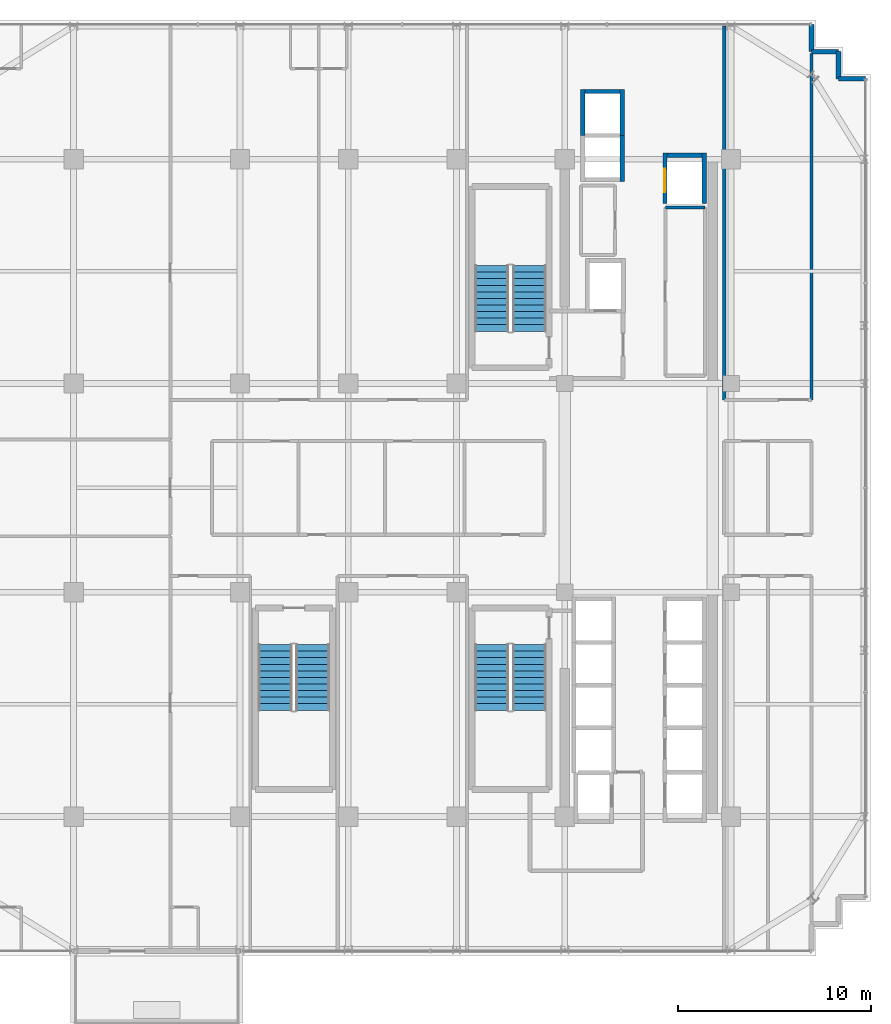
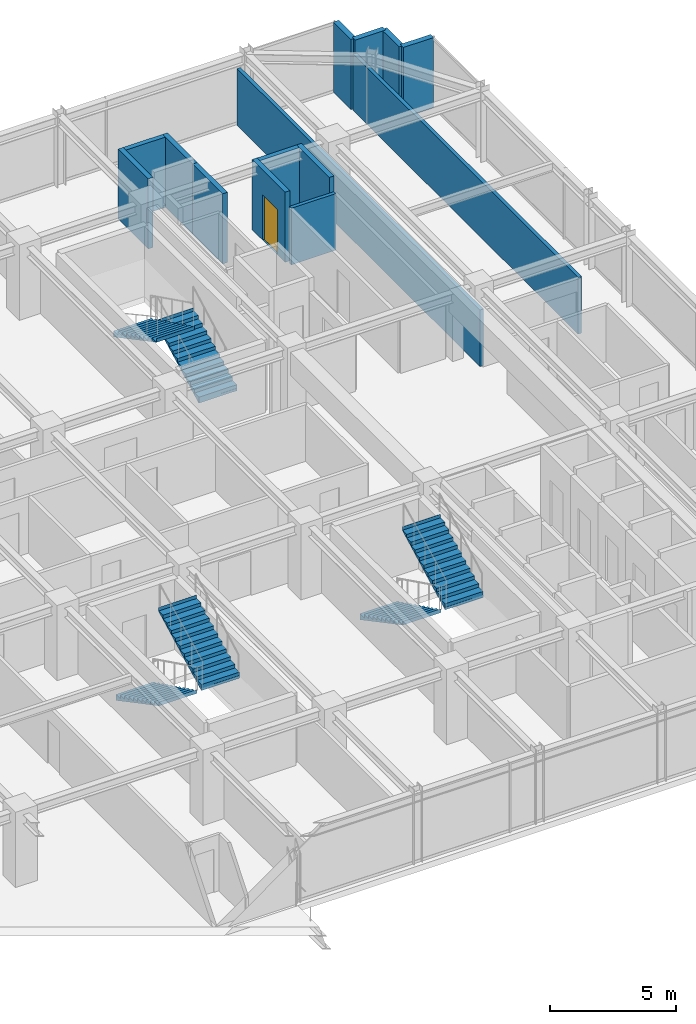
# One storey, part 32 of 35: 14 walls, 6 stair flights, 1 door, 1 opening, 3 elements without a shape of their own.
"""IFC4 building model written with IfcOpenShell, lengths in metres."""

from ifc_helpers import new_model, si_unit, direction, frame, frame_2d, origin, place, context, subcontext, project, spatial, polyline, rectangle, outline, extrude, source, transform, mapped, material, layer, layer_set, type_object, element, fill, aggregate, save


model = new_model("IFC4")

# Units and contexts
model_context = context("Model", 3, precision=1e-05, world=origin(), true_north=direction((0.0, 1.0)))
body_context = subcontext(model_context, "Body", "Model", "MODEL_VIEW")
ifc_project = project(units=[si_unit("LENGTHUNIT", "METRE"), si_unit("AREAUNIT", "SQUARE_METRE"), si_unit("VOLUMEUNIT", "CUBIC_METRE"), si_unit("PLANEANGLEUNIT", "RADIAN"), si_unit("MASSUNIT", "GRAM", prefix="KILO")], contexts=[model_context])

# Site, building, storey
site_placement = place(None, origin())
site = spatial("IfcSite", under=ifc_project, at=site_placement, CompositionType="ELEMENT")
building_placement = place(site_placement, origin())
building = spatial("IfcBuilding", under=site, at=building_placement, Name="Nahalor Promenade Grand Hotel", CompositionType="ELEMENT")
storey_placement = place(building_placement, frame((0.0, 0.0, 216.0)))
storey = spatial("IfcBuildingStorey", under=building, at=storey_placement, Name="L55", CompositionType="ELEMENT", Elevation=216.0)

# Walls
ifc_material_1 = material(Name="Concrete B-50 (C40/50)", Category="concrete")
ifc_layer_1 = layer(ifc_material_1, 0.219970703125)
ifc_layer_set_1 = layer_set([ifc_layer_1], Name="Concrete B-50 (C40/50)")
wall_type_1 = type_object("IfcWallType", Name="Wall-LiftShaft-220", PredefinedType="SHEAR", material=ifc_layer_set_1)
shared_shape_1 = source(origin(), body_context, "Body", "SweptSolid", [
    extrude(rectangle(XDim=1.820068359375, YDim=0.219970703125, at=frame_2d((0.91015625, 0.0))), origin(), (0.0, 0.0, 1.0), 3.409912109375),
])
for number, where, z_axis, x_axis, name in (
    (1, (9.43994140625, 20.5, 0.0), (0.0, 0.0, 1.0), (1.0, 0.0, 0.0), "L55 Lift OB2 Hoistway Wall N"),
    (2, (13.68994140625, 17.199951171875, 0.0), (0.0, 0.0, 1.0), (1.0, 0.0, 0.0), "L55 Lift SV1 Hoistway Wall N"),
):
    element("IfcWall", number, at=place(storey_placement, frame(where, z_axis=z_axis, x_axis=x_axis)), inside=storey, type_object=wall_type_1, Name=name, PredefinedType="SHEAR", context=body_context, shape_type="MappedRepresentation", body=[
        mapped(shared_shape_1, transform((0.0, 0.0, 0.0), scale=1.0)),
    ])
shared_shape_2 = source(origin(), body_context, "Body", "SweptSolid", [
    extrude(rectangle(XDim=2.385009765625, YDim=0.219970703125, at=frame_2d((1.1923828125, 0.0))), origin(), (0.0, 0.0, 1.0), 3.409912109375),
])
for number, where, z_axis, x_axis, name in (
    (3, (11.3701171875, 15.840087890625, 0.0), (0.0, 0.0, 1.0), (0.0, 1.0, 0.0), "L55 Lift OB1 Hoistway Wall E"),
    (4, (9.330078125, 18.22509765625, 0.0), (0.0, 0.0, 1.0), (0.0, 1.0, 0.0), "L55 Lift OB2 Hoistway Wall W"),
    (5, (11.3701171875, 18.22509765625, 0.0), (0.0, 0.0, 1.0), (0.0, 1.0, 0.0), "L55 Lift OB2 Hoistway Wall E"),
):
    element("IfcWall", number, at=place(storey_placement, frame(where, z_axis=z_axis, x_axis=x_axis)), inside=storey, type_object=wall_type_1, Name=name, PredefinedType="SHEAR", context=body_context, shape_type="MappedRepresentation", body=[
        mapped(shared_shape_2, transform((0.0, 0.0, 0.0), scale=1.0)),
    ])

# Wall, opening, door
shared_shape_3 = source(origin(), body_context, "Body", "SweptSolid", [
    extrude(rectangle(XDim=2.610107421875, YDim=0.219970703125, at=frame_2d((1.30517578125, 0.0))), origin(), (0.0, 0.0, 1.0), 3.409912109375),
])
wall_1_placement = place(storey_placement, frame((13.580078125, 14.699951171875, 0.0), z_axis=(0.0, 0.0, 1.0), x_axis=(0.0, 1.0, 0.0)))
wall_1 = element("IfcWall", 6, at=wall_1_placement, inside=storey, type_object=wall_type_1, Name="L55 Lift SV1 Hoistway Wall W", PredefinedType="SHEAR", context=body_context, shape_type="MappedRepresentation", body=[
    mapped(shared_shape_3, transform((0.0, 0.0, 0.0), scale=1.0)),
])
opening_placement = place(wall_1_placement, frame((0.60009765625, 0.0, 0.0)))
opening = element("IfcOpeningElement", 7, at=opening_placement, cuts=wall_1, Name="Opening LD-03", PredefinedType="OPENING", context=body_context, shape_type="SweptSolid", body=[
    extrude(rectangle(XDim=1.199951171875, YDim=2.199951171875, at=frame_2d((0.60009765625, 1.10009765625))), frame((0.0, 0.119873046875, 0.0), z_axis=(0.0, -1.0, 0.0), x_axis=(1.0, 0.0, 0.0)), (0.0, 0.0, 1.0), 0.239990234375),
])
ifc_material_2 = material(Name="Steel S355JR", Category="steel")
door_type = type_object("IfcDoorType", Name="Door-LiftService-1200", OperationType="DOUBLE_DOOR_SLIDING", PredefinedType="DOOR", material=ifc_material_2)
shared_shape_4 = source(origin(), body_context, "Body", "SweptSolid", [
    extrude(rectangle(XDim=1.199951171875, YDim=2.199951171875, at=frame_2d((0.60009765625, 1.10009765625))), frame((0.0, 0.02490234375, 0.0), z_axis=(0.0, -1.0, 0.0), x_axis=(1.0, 0.0, 0.0)), (0.0, 0.0, 1.0), 0.050048828125),
])
door_placement = place(opening_placement, origin())
door = element("IfcDoor", 8, at=door_placement, inside=storey, type_object=door_type, Name="DR-LIFT-SV1-L55", OperationType="DOUBLE_DOOR_SLIDING", OverallHeight=2.199951171875, OverallWidth=1.199951171875, PredefinedType="DOOR", context=body_context, shape_type="MappedRepresentation", body=[
    mapped(shared_shape_4, transform((0.0, 0.0, 0.0), scale=1.0)),
])
fill(opening, door)

# Walls
wall_2_placement = place(storey_placement, frame((15.6201171875, 14.699951171875, 0.0), z_axis=(0.0, 0.0, 1.0), x_axis=(0.0, 1.0, 0.0)))
element("IfcWall", 9, at=wall_2_placement, inside=storey, type_object=wall_type_1, Name="L55 Lift SV1 Hoistway Wall E", PredefinedType="SHEAR", context=body_context, shape_type="MappedRepresentation", body=[
    mapped(shared_shape_3, transform((0.0, 0.0, 0.0), scale=1.0)),
])
ifc_material_3 = material(Name="Concrete B-40 (C32/40)", Category="concrete")
ifc_layer_2 = layer(ifc_material_3, 0.25)
ifc_layer_set_2 = layer_set([ifc_layer_2], Name="Concrete B-40 (C32/40)")
wall_type_2 = type_object("IfcWallType", Name="Wall-BronzePier-250", PredefinedType="STANDARD", material=ifc_layer_set_2)
shared_shape_5 = source(origin(), body_context, "Body", "SweptSolid", [
    extrude(rectangle(XDim=1.39990234375, YDim=0.25, at=frame_2d((0.699951171875, 0.0))), origin(), (0.0, 0.0, 1.0), 3.409912109375),
])
for number, where, z_axis, x_axis, name in (
    (10, (22.56005859375, 21.159912109375, 0.0), (0.0, 0.0, 1.0), (1.0, 0.0, 0.0), "W-L55-SR-05"),
    (11, (21.159912109375, 22.56005859375, 0.0), (0.0, 0.0, 1.0), (0.0, 1.0, 0.0), "W-L55-SR-08"),
):
    element("IfcWall", number, at=place(storey_placement, frame(where, z_axis=z_axis, x_axis=x_axis)), inside=storey, type_object=wall_type_2, Name=name, PredefinedType="STANDARD", context=body_context, shape_type="MappedRepresentation", body=[
        mapped(shared_shape_5, transform((0.0, 0.0, 0.0), scale=1.0)),
    ])
shared_shape_6 = source(origin(), body_context, "Body", "SweptSolid", [
    extrude(rectangle(XDim=1.400146484375, YDim=0.25, at=frame_2d((0.7001953125, 0.0))), origin(), (0.0, 0.0, 1.0), 3.409912109375),
])
for number, where, z_axis, x_axis, name in (
    (12, (22.56005859375, 21.159912109375, 0.0), (0.0, 0.0, 1.0), (0.0, 1.0, 0.0), "W-L55-SR-06"),
    (13, (21.159912109375, 22.56005859375, 0.0), (0.0, 0.0, 1.0), (1.0, 0.0, 0.0), "W-L55-SR-07"),
):
    element("IfcWall", number, at=place(storey_placement, frame(where, z_axis=z_axis, x_axis=x_axis)), inside=storey, type_object=wall_type_2, Name=name, PredefinedType="STANDARD", context=body_context, shape_type="MappedRepresentation", body=[
        mapped(shared_shape_6, transform((0.0, 0.0, 0.0), scale=1.0)),
    ])
ifc_material_4 = material(Name="Acoustic Mineral Gypsum", Category="gypsum")
ifc_layer_3 = layer(ifc_material_4, 0.159912109375)
ifc_layer_set_3 = layer_set([ifc_layer_3], Name="Acoustic Mineral Gypsum")
wall_type_3 = type_object("IfcWallType", Name="Wall-PartCorridor-160", PredefinedType="PARTITIONING", material=ifc_layer_set_3)
shared_shape_7 = source(origin(), body_context, "Body", "SweptSolid", [
    extrude(rectangle(XDim=2.0498046875, YDim=0.159912109375, at=frame_2d((1.02490234375, 0.0))), origin(), (0.0, 0.0, 1.0), 2.75),
])
wall_3_placement = place(storey_placement, frame((13.60009765625, 14.5, 0.0), z_axis=(0.0, 0.0, 1.0), x_axis=(1.0, 0.0, 0.0)))
element("IfcWall", 14, at=wall_3_placement, inside=storey, type_object=wall_type_3, Name="W-L55-FRB1-N", PredefinedType="PARTITIONING", context=body_context, shape_type="MappedRepresentation", body=[
    mapped(shared_shape_7, transform((0.0, 0.0, 0.0), scale=1.0)),
])
shared_shape_8 = source(origin(), body_context, "Body", "SweptSolid", [
    extrude(rectangle(XDim=19.349853515625, YDim=0.159912109375, at=frame_2d((9.6748046875, 0.0))), origin(), (0.0, 0.0, 1.0), 2.75),
])
wall_4_placement = place(storey_placement, frame((16.64990234375, 4.550048828125, 0.0), z_axis=(0.0, 0.0, 1.0), x_axis=(0.0, 1.0, 0.0)))
element("IfcWall", 15, at=wall_4_placement, inside=storey, type_object=wall_type_3, Name="W-L55-ENE-W", PredefinedType="PARTITIONING", context=body_context, shape_type="MappedRepresentation", body=[
    mapped(shared_shape_8, transform((0.0, 0.0, 0.0), scale=1.0)),
])
shared_shape_9 = source(origin(), body_context, "Body", "SweptSolid", [
    extrude(rectangle(XDim=17.929931640625, YDim=0.159912109375, at=frame_2d((8.96484375, 0.0))), origin(), (0.0, 0.0, 1.0), 2.75),
])
wall_5_placement = place(storey_placement, frame((21.159912109375, 4.550048828125, 0.0), z_axis=(0.0, 0.0, 1.0), x_axis=(0.0, 1.0, 0.0)))
element("IfcWall", 16, at=wall_5_placement, inside=storey, type_object=wall_type_3, Name="W-L55-ENE-E", PredefinedType="PARTITIONING", context=body_context, shape_type="MappedRepresentation", body=[
    mapped(shared_shape_9, transform((0.0, 0.0, 0.0), scale=1.0)),
])

# Stair, stair flights
stair_type_1 = type_object("IfcStairType", Name="Stair-ST1", PredefinedType="HALF_TURN_STAIR", material=ifc_material_1)
stair_1_placement = place(storey_placement, origin())
stair_1 = element("IfcStair", 17, at=stair_1_placement, inside=storey, type_object=stair_type_1, Name="L55 ST1", PredefinedType="HALF_TURN_STAIR")
ifc_layer_4 = layer(ifc_material_1, 0.179931640625)
ifc_layer_set_4 = layer_set([ifc_layer_4], Name="Concrete B-50 (C40/50)")
stair_flight_type_1 = type_object("IfcStairFlightType", Name="Flight-ST1", PredefinedType="STRAIGHT", material=ifc_layer_set_4)
shared_shape_10 = source(origin(), body_context, "Body", "SweptSolid", [
    extrude(outline(polyline([(-0.00390625, -0.1201171875), (-0.00390625, 0.0), (0.0, 0.0), (0.0, 0.168212890625), (0.340087890625, 0.168212890625), (0.340087890625, 0.33642578125), (0.679931640625, 0.33642578125), (0.679931640625, 0.504638671875), (1.02001953125, 0.504638671875), (1.02001953125, 0.672607421875), (1.360107421875, 0.672607421875), (1.360107421875, 0.8408203125), (1.699951171875, 0.8408203125), (1.699951171875, 1.009033203125), (2.0400390625, 1.009033203125), (2.0400390625, 1.17724609375), (2.3798828125, 1.17724609375), (2.3798828125, 1.345458984375), (2.719970703125, 1.345458984375), (2.719970703125, 1.513671875), (3.06005859375, 1.513671875), (3.06005859375, 1.681884765625), (3.39990234375, 1.681884765625), (3.39990234375, 1.85009765625), (3.404052734375, 1.85009765625), (3.404052734375, 1.669921875), (0.02001953125, -0.1201171875), (-0.00390625, -0.1201171875)])), frame((0.0, 0.875, 0.0), z_axis=(0.0, -1.0, 0.0), x_axis=(1.0, 0.0, 0.0)), (0.0, 0.0, 1.0), 1.75),
])
stair_flight_1_placement = place(storey_placement, frame((6.574951171875, 8.10009765625, 0.0), z_axis=(0.0, 0.0, 1.0), x_axis=(0.0, 1.0, 0.0)))
stair_flight_1 = element("IfcStairFlight", 18, at=stair_flight_1_placement, type_object=stair_flight_type_1, Name="ST1 flight 1", NumberOfRisers=11, NumberOfTreads=10, PredefinedType="STRAIGHT", RiserHeight=0.168181818, TreadLength=0.34, context=body_context, shape_type="MappedRepresentation", body=[
    mapped(shared_shape_10, transform((0.0, 0.0, 0.0), scale=1.0)),
])
stair_flight_2_placement = place(storey_placement, frame((4.625, 11.5, 1.85009765625), z_axis=(0.0, 0.0, 1.0), x_axis=(0.0, -1.0, 0.0)))
stair_flight_2 = element("IfcStairFlight", 19, at=stair_flight_2_placement, type_object=stair_flight_type_1, Name="ST1 flight 2", NumberOfRisers=11, NumberOfTreads=10, PredefinedType="STRAIGHT", RiserHeight=0.168181818, TreadLength=0.34, context=body_context, shape_type="MappedRepresentation", body=[
    mapped(shared_shape_10, transform((0.0, 0.0, 0.0), scale=1.0)),
])
aggregate(stair_1, [stair_flight_1, stair_flight_2])

stair_type_2 = type_object("IfcStairType", Name="Stair-ST2", PredefinedType="HALF_TURN_STAIR", material=ifc_material_1)
stair_2_placement = place(storey_placement, origin())
stair_2 = element("IfcStair", 20, at=stair_2_placement, inside=storey, type_object=stair_type_2, Name="L55 ST2", PredefinedType="HALF_TURN_STAIR")
ifc_layer_5 = layer(ifc_material_1, 0.18994140625)
ifc_layer_set_5 = layer_set([ifc_layer_5], Name="Concrete B-50 (C40/50)")
stair_flight_type_2 = type_object("IfcStairFlightType", Name="Flight-ST2", PredefinedType="STRAIGHT", material=ifc_layer_set_5)
shared_shape_11 = source(origin(), body_context, "Body", "SweptSolid", [
    extrude(outline(polyline([(-0.00390625, -0.1201171875), (-0.00390625, 0.0), (0.0, 0.0), (0.0, 0.168212890625), (0.340087890625, 0.168212890625), (0.340087890625, 0.33642578125), (0.679931640625, 0.33642578125), (0.679931640625, 0.504638671875), (1.02001953125, 0.504638671875), (1.02001953125, 0.672607421875), (1.360107421875, 0.672607421875), (1.360107421875, 0.8408203125), (1.699951171875, 0.8408203125), (1.699951171875, 1.009033203125), (2.0400390625, 1.009033203125), (2.0400390625, 1.17724609375), (2.3798828125, 1.17724609375), (2.3798828125, 1.345458984375), (2.719970703125, 1.345458984375), (2.719970703125, 1.513671875), (3.06005859375, 1.513671875), (3.06005859375, 1.681884765625), (3.39990234375, 1.681884765625), (3.39990234375, 1.85009765625), (3.404052734375, 1.85009765625), (3.404052734375, 1.669921875), (0.02001953125, -0.1201171875), (-0.00390625, -0.1201171875)])), frame((0.0, 0.875, 0.0), z_axis=(0.0, -1.0, 0.0), x_axis=(1.0, 0.0, 0.0)), (0.0, 0.0, 1.0), 1.75),
])
stair_flight_3_placement = place(storey_placement, frame((4.625, -8.10009765625, 0.0), z_axis=(0.0, 0.0, 1.0), x_axis=(0.0, -1.0, 0.0)))
stair_flight_3 = element("IfcStairFlight", 21, at=stair_flight_3_placement, type_object=stair_flight_type_2, Name="ST2 flight 1", NumberOfRisers=11, NumberOfTreads=10, PredefinedType="STRAIGHT", RiserHeight=0.168181818, TreadLength=0.34, context=body_context, shape_type="MappedRepresentation", body=[
    mapped(shared_shape_11, transform((0.0, 0.0, 0.0), scale=1.0)),
])
stair_flight_4_placement = place(storey_placement, frame((6.574951171875, -11.5, 1.85009765625), z_axis=(0.0, 0.0, 1.0), x_axis=(0.0, 1.0, 0.0)))
stair_flight_4 = element("IfcStairFlight", 22, at=stair_flight_4_placement, type_object=stair_flight_type_2, Name="ST2 flight 2", NumberOfRisers=11, NumberOfTreads=10, PredefinedType="STRAIGHT", RiserHeight=0.168181818, TreadLength=0.34, context=body_context, shape_type="MappedRepresentation", body=[
    mapped(shared_shape_11, transform((0.0, 0.0, 0.0), scale=1.0)),
])
aggregate(stair_2, [stair_flight_3, stair_flight_4])

stair_type_3 = type_object("IfcStairType", Name="Stair-ST3", PredefinedType="HALF_TURN_STAIR", material=ifc_material_1)
stair_3_placement = place(storey_placement, origin())
stair_3 = element("IfcStair", 23, at=stair_3_placement, inside=storey, type_object=stair_type_3, Name="L55 ST3", PredefinedType="HALF_TURN_STAIR")
ifc_layer_6 = layer(ifc_material_1, 0.199951171875)
ifc_layer_set_6 = layer_set([ifc_layer_6], Name="Concrete B-50 (C40/50)")
stair_flight_type_3 = type_object("IfcStairFlightType", Name="Flight-ST3", PredefinedType="STRAIGHT", material=ifc_layer_set_6)
shared_shape_12 = source(origin(), body_context, "Body", "SweptSolid", [
    extrude(outline(polyline([(-0.00390625, -0.1201171875), (-0.00390625, 0.0), (0.0, 0.0), (0.0, 0.168212890625), (0.340087890625, 0.168212890625), (0.340087890625, 0.33642578125), (0.679931640625, 0.33642578125), (0.679931640625, 0.504638671875), (1.02001953125, 0.504638671875), (1.02001953125, 0.672607421875), (1.360107421875, 0.672607421875), (1.360107421875, 0.8408203125), (1.699951171875, 0.8408203125), (1.699951171875, 1.009033203125), (2.0400390625, 1.009033203125), (2.0400390625, 1.17724609375), (2.3798828125, 1.17724609375), (2.3798828125, 1.345458984375), (2.719970703125, 1.345458984375), (2.719970703125, 1.513671875), (3.06005859375, 1.513671875), (3.06005859375, 1.681884765625), (3.39990234375, 1.681884765625), (3.39990234375, 1.85009765625), (3.404052734375, 1.85009765625), (3.404052734375, 1.669921875), (0.02001953125, -0.1201171875), (-0.00390625, -0.1201171875)])), frame((0.0, 0.875, 0.0), z_axis=(0.0, -1.0, 0.0), x_axis=(1.0, 0.0, 0.0)), (0.0, 0.0, 1.0), 1.75),
])
stair_flight_5_placement = place(storey_placement, frame((-6.574951171875, -8.10009765625, 0.0), z_axis=(0.0, 0.0, 1.0), x_axis=(0.0, -1.0, 0.0)))
stair_flight_5 = element("IfcStairFlight", 24, at=stair_flight_5_placement, type_object=stair_flight_type_3, Name="ST3 flight 1", NumberOfRisers=11, NumberOfTreads=10, PredefinedType="STRAIGHT", RiserHeight=0.168181818, TreadLength=0.34, context=body_context, shape_type="MappedRepresentation", body=[
    mapped(shared_shape_12, transform((0.0, 0.0, 0.0), scale=1.0)),
])
stair_flight_6_placement = place(storey_placement, frame((-4.625, -11.5, 1.85009765625), z_axis=(0.0, 0.0, 1.0), x_axis=(0.0, 1.0, 0.0)))
stair_flight_6 = element("IfcStairFlight", 25, at=stair_flight_6_placement, type_object=stair_flight_type_3, Name="ST3 flight 2", NumberOfRisers=11, NumberOfTreads=10, PredefinedType="STRAIGHT", RiserHeight=0.168181818, TreadLength=0.34, context=body_context, shape_type="MappedRepresentation", body=[
    mapped(shared_shape_12, transform((0.0, 0.0, 0.0), scale=1.0)),
])
aggregate(stair_3, [stair_flight_5, stair_flight_6])

save(model, "model.ifc")
